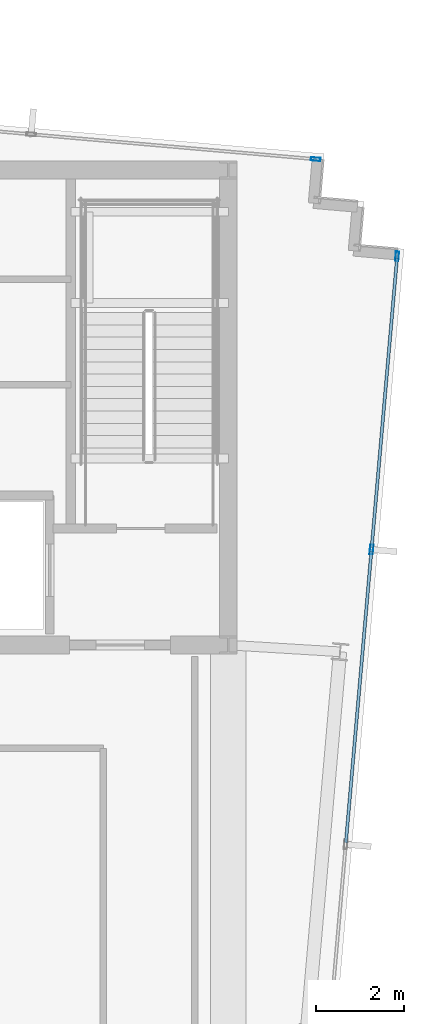
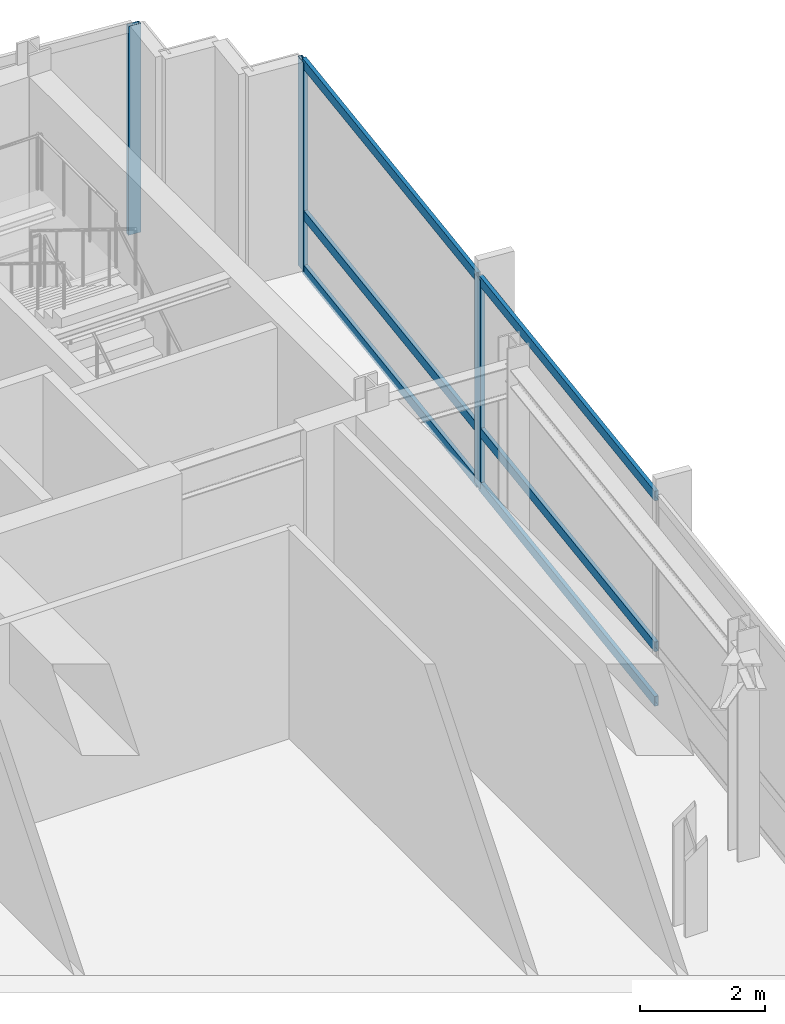
# One storey, part 15 of 25: 9 members, 2 elements without a shape of their own.
"""IFC4 building model written with IfcOpenShell, lengths in metres."""

from ifc_helpers import new_model, si_unit, direction, frame, origin, origin_2d, place, context, subcontext, project, spatial, hollow_rectangle, extrude, material, material_profile, profile_set, type_object, element, aggregate, save


model = new_model("IFC4")

# Units and contexts
model_context = context("Model", 3, precision=1e-05, world=origin(), true_north=direction((0.0, 1.0)))
body_context = subcontext(model_context, "Body", "Model", "MODEL_VIEW")
ifc_project = project(units=[si_unit("LENGTHUNIT", "METRE"), si_unit("AREAUNIT", "SQUARE_METRE"), si_unit("VOLUMEUNIT", "CUBIC_METRE"), si_unit("PLANEANGLEUNIT", "RADIAN"), si_unit("MASSUNIT", "GRAM", prefix="KILO")], contexts=[model_context])

# Site, building, storey
site_placement = place(None, origin())
site = spatial("IfcSite", under=ifc_project, at=site_placement, CompositionType="ELEMENT")
building_placement = place(site_placement, origin())
building = spatial("IfcBuilding", under=site, at=building_placement, Name="Yelkora Congress Tower", CompositionType="ELEMENT")
storey_placement = place(building_placement, frame((0.0, 0.0, 299.89990234375)))
storey = spatial("IfcBuildingStorey", under=building, at=storey_placement, Name="L84", CompositionType="ELEMENT", Elevation=299.89990234375)

# Curtain wall, member
ifc_material_1 = material(Name="Anodised aluminium and insulated glass", Category="aluminium")
curtain_wall_type = type_object("IfcCurtainWallType", Name="CW-SYS-SKY", PredefinedType="NOTDEFINED", material=ifc_material_1)
curtain_wall_1_placement = place(storey_placement, origin())
curtain_wall_1 = element("IfcCurtainWall", 1, at=curtain_wall_1_placement, inside=storey, type_object=curtain_wall_type, Name="L84 Unitised Curtain Wall 10", PredefinedType="NOTDEFINED")
ifc_material_2 = material(Name="Anodised aluminium 6063-T6", Category="aluminium")
ifc_material_profile_1 = material_profile(ifc_material_2, hollow_rectangle(XDim=0.074951171875, YDim=0.219970703125, WallThickness=0.0048828125, at=origin_2d()), Name="ALU 75x220x5")
ifc_profile_set_1 = profile_set([ifc_material_profile_1], Name="Anodised aluminium 6063-T6")
member_type_1 = type_object("IfcMemberType", Name="MEM-ML-SKY", PredefinedType="MULLION", material=ifc_profile_set_1)
member_1_placement = place(storey_placement, frame((55.74853515625, 46.4462890625, 0.0), z_axis=(0.0, 0.0, 1.0), x_axis=(0.087156639893, 0.996194619601, 0.0)))
member_1 = element("IfcMember", 2, at=member_1_placement, type_object=member_type_1, Name="CW-SKY mullion 8", PredefinedType="MULLION", context=body_context, shape_type="SweptSolid", body=[
    extrude(hollow_rectangle(XDim=0.074951171875, YDim=0.219970703125, WallThickness=0.0048828125, at=origin_2d()), origin(), (0.0, 0.0, 1.0), 4.080078125),
])
aggregate(curtain_wall_1, [member_1])

# Curtain wall, members
curtain_wall_2_placement = place(storey_placement, origin())
curtain_wall_2 = element("IfcCurtainWall", 3, at=curtain_wall_2_placement, inside=storey, type_object=curtain_wall_type, Name="L84 Unitised Curtain Wall 15", PredefinedType="NOTDEFINED")
member_2_placement = place(storey_placement, frame((57.600830078125, 44.239013671875, 0.0), z_axis=(0.0, 0.0, 1.0), x_axis=(0.996194463398, -0.087158425264, 0.0)))
member_2 = element("IfcMember", 4, at=member_2_placement, type_object=member_type_1, Name="CW-SKY mullion 1", PredefinedType="MULLION", context=body_context, shape_type="SweptSolid", body=[
    extrude(hollow_rectangle(XDim=0.074951171875, YDim=0.219970703125, WallThickness=0.0048828125, at=origin_2d()), origin(), (0.0, 0.0, 1.0), 4.080078125),
])
member_3_placement = place(storey_placement, frame((57.017578125, 37.572021484375, 0.0), z_axis=(0.0, 0.0, 1.0), x_axis=(0.996194463398, -0.087158425264, 0.0)))
member_3 = element("IfcMember", 5, at=member_3_placement, type_object=member_type_1, Name="CW-SKY mullion 2", PredefinedType="MULLION", context=body_context, shape_type="SweptSolid", body=[
    extrude(hollow_rectangle(XDim=0.074951171875, YDim=0.219970703125, WallThickness=0.0048828125, at=origin_2d()), origin(), (0.0, 0.0, 1.0), 4.080078125),
])
ifc_material_profile_2 = material_profile(ifc_material_2, hollow_rectangle(XDim=0.070068359375, YDim=0.18994140625, WallThickness=0.00390625, at=origin_2d()), Name="ALU 70x190x4")
ifc_profile_set_2 = profile_set([ifc_material_profile_2], Name="Anodised aluminium 6063-T6")
member_type_2 = type_object("IfcMemberType", Name="MEM-TR-SKY", PredefinedType="USERDEFINED", material=ifc_profile_set_2)
member_4_placement = place(storey_placement, frame((57.59765625, 44.20166015625, 0.03515625), z_axis=(-0.087178849491, -0.996192676244, 0.0), x_axis=(0.996192676244, -0.087178849491, 0.0)))
member_4 = element("IfcMember", 6, at=member_4_placement, type_object=member_type_2, Name="CW-SKY transom 1.1", ObjectType="TRANSOM", PredefinedType="USERDEFINED", context=body_context, shape_type="SweptSolid", body=[
    extrude(hollow_rectangle(XDim=0.070068359375, YDim=0.18994140625, WallThickness=0.00390625, at=origin_2d()), origin(), (0.0, 0.0, 1.0), 6.617431640625),
])
member_5_placement = place(storey_placement, frame((57.59765625, 44.20166015625, 1.10009765625), z_axis=(-0.087178849491, -0.996192676244, 0.0), x_axis=(0.996192676244, -0.087178849491, 0.0)))
member_5 = element("IfcMember", 7, at=member_5_placement, type_object=member_type_2, Name="CW-SKY transom 1.2", ObjectType="TRANSOM", PredefinedType="USERDEFINED", context=body_context, shape_type="SweptSolid", body=[
    extrude(hollow_rectangle(XDim=0.070068359375, YDim=0.18994140625, WallThickness=0.00390625, at=origin_2d()), origin(), (0.0, 0.0, 1.0), 6.617431640625),
])
member_6_placement = place(storey_placement, frame((57.59765625, 44.20166015625, 4.045166015625), z_axis=(-0.087178849491, -0.996192676244, 0.0), x_axis=(0.996192676244, -0.087178849491, 0.0)))
member_6 = element("IfcMember", 8, at=member_6_placement, type_object=member_type_2, Name="CW-SKY transom 1.3", ObjectType="TRANSOM", PredefinedType="USERDEFINED", context=body_context, shape_type="SweptSolid", body=[
    extrude(hollow_rectangle(XDim=0.070068359375, YDim=0.18994140625, WallThickness=0.00390625, at=origin_2d()), origin(), (0.0, 0.0, 1.0), 6.617431640625),
])
member_7_placement = place(storey_placement, frame((57.01416015625, 37.53466796875, 0.03515625), z_axis=(-0.087128267941, -0.996197101444, 0.0), x_axis=(0.996197101444, -0.087128267941, 0.0)))
member_7 = element("IfcMember", 9, at=member_7_placement, type_object=member_type_2, Name="CW-SKY transom 2.1", ObjectType="TRANSOM", PredefinedType="USERDEFINED", context=body_context, shape_type="SweptSolid", body=[
    extrude(hollow_rectangle(XDim=0.070068359375, YDim=0.18994140625, WallThickness=0.00390625, at=origin_2d()), origin(), (0.0, 0.0, 1.0), 6.655029296875),
])
member_8_placement = place(storey_placement, frame((57.01416015625, 37.53466796875, 1.10009765625), z_axis=(-0.087128267941, -0.996197101444, 0.0), x_axis=(0.996197101444, -0.087128267941, 0.0)))
member_8 = element("IfcMember", 10, at=member_8_placement, type_object=member_type_2, Name="CW-SKY transom 2.2", ObjectType="TRANSOM", PredefinedType="USERDEFINED", context=body_context, shape_type="SweptSolid", body=[
    extrude(hollow_rectangle(XDim=0.070068359375, YDim=0.18994140625, WallThickness=0.00390625, at=origin_2d()), origin(), (0.0, 0.0, 1.0), 6.655029296875),
])
member_9_placement = place(storey_placement, frame((57.01416015625, 37.53466796875, 4.045166015625), z_axis=(-0.087128267941, -0.996197101444, 0.0), x_axis=(0.996197101444, -0.087128267941, 0.0)))
member_9 = element("IfcMember", 11, at=member_9_placement, type_object=member_type_2, Name="CW-SKY transom 2.3", ObjectType="TRANSOM", PredefinedType="USERDEFINED", context=body_context, shape_type="SweptSolid", body=[
    extrude(hollow_rectangle(XDim=0.070068359375, YDim=0.18994140625, WallThickness=0.00390625, at=origin_2d()), origin(), (0.0, 0.0, 1.0), 6.655029296875),
])
aggregate(curtain_wall_2, [member_2, member_3, member_4, member_5, member_6, member_7, member_8, member_9])

save(model, "model.ifc")
